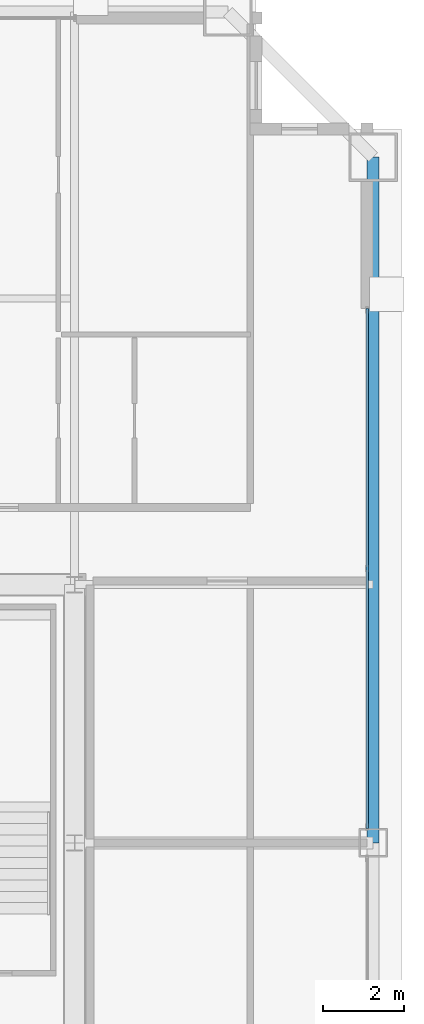
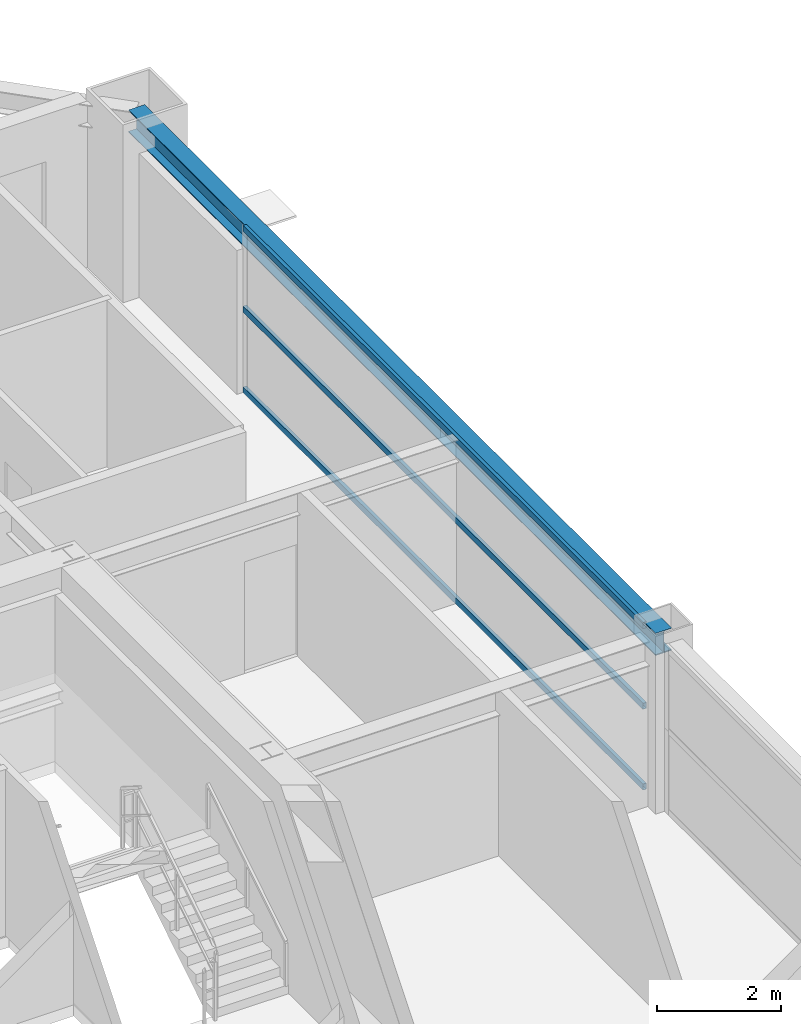
# One storey, part 21 of 37: 3 members, 1 beam, 1 element without a shape of its own.
"""IFC4 building model written with IfcOpenShell, lengths in metres."""

from ifc_helpers import new_model, si_unit, direction, frame, origin, origin_2d, place, context, subcontext, project, spatial, hollow_rectangle, i_section, extrude, source, transform, mapped, material, layer, layer_set, material_profile, profile_set, type_object, element, aggregate, save


model = new_model("IFC4")

# Units and contexts
model_context = context("Model", 3, precision=1e-05, world=origin(), true_north=direction((0.0, 1.0)))
body_context = subcontext(model_context, "Body", "Model", "MODEL_VIEW")
ifc_project = project(units=[si_unit("LENGTHUNIT", "METRE"), si_unit("AREAUNIT", "SQUARE_METRE"), si_unit("VOLUMEUNIT", "CUBIC_METRE"), si_unit("PLANEANGLEUNIT", "RADIAN"), si_unit("MASSUNIT", "GRAM", prefix="KILO"), si_unit("THERMODYNAMICTEMPERATUREUNIT", "KELVIN"), si_unit("POWERUNIT", "WATT")], contexts=[model_context])

# Site, building, storey
site_placement = place(None, origin())
site = spatial("IfcSite", under=ifc_project, at=site_placement, CompositionType="ELEMENT")
building_placement = place(site_placement, origin())
building = spatial("IfcBuilding", under=site, at=building_placement, Name="Yuzanri Waterfront Tower", CompositionType="ELEMENT")
storey_placement = place(building_placement, frame((0.0, 0.0, 245.10009765625)))
storey = spatial("IfcBuildingStorey", under=building, at=storey_placement, Name="L65", CompositionType="ELEMENT", Elevation=245.10009765625)

# Beam
ifc_material_1 = material(Name="Steel Q355B", Category="steel")
ifc_material_profile_1 = material_profile(ifc_material_1, i_section(OverallWidth=0.300048828125, OverallDepth=0.43994140625, WebThickness=0.010986328125, FlangeThickness=0.01806640625, at=origin_2d()), Name="HM 440x300x11x18")
ifc_profile_set_1 = profile_set([ifc_material_profile_1], Name="Steel Q355B")
beam_type = type_object("IfcBeamType", Name="Perimeter Spandrel Q355B HM 440x300", PredefinedType="SPANDREL", material=ifc_profile_set_1)
shared_shape_1 = source(origin(), body_context, "Body", "SweptSolid", [
    extrude(i_section(OverallWidth=0.300048828125, OverallDepth=0.43994140625, WebThickness=0.010986328125, FlangeThickness=0.01806640625, at=origin_2d()), origin(), (0.0, 0.0, 1.0), 17.0),
])
beam_placement = place(storey_placement, frame((57.60009765625, 25.800048828125, 3.059814453125), z_axis=(0.0, 1.0, 0.0), x_axis=(-1.0, 0.0, 0.0)))
element("IfcBeam", 1, at=beam_placement, inside=storey, type_object=beam_type, Name="L65 Perimeter Spandrel E2-E3", PredefinedType="SPANDREL", context=body_context, shape_type="MappedRepresentation", body=[
    mapped(shared_shape_1, transform((0.0, 0.0, 0.0), scale=1.0)),
])

# Curtain wall, members
ifc_material_2 = material(Name="Anodized Architectural Bronze", Category="metal")
ifc_layer = layer(ifc_material_2, 0.159912109375)
ifc_layer_set = layer_set([ifc_layer], Name="Anodized Architectural Bronze")
curtain_wall_type = type_object("IfcCurtainWallType", Name="Anodized Bronze Mid-Rise Residential Acoustic Unitized Curtain Wall 7200", PredefinedType="NOTDEFINED", material=ifc_layer_set)
curtain_wall_placement = place(storey_placement, origin())
curtain_wall = element("IfcCurtainWall", 2, at=curtain_wall_placement, inside=storey, type_object=curtain_wall_type, Name="L65 Curtain Wall CW-L65-ER", PredefinedType="NOTDEFINED")
ifc_material_3 = material(Name="Anodized Architectural Bronze", Category="metal")
ifc_material_profile_2 = material_profile(ifc_material_3, hollow_rectangle(XDim=0.06494140625, YDim=0.1201171875, WallThickness=0.00341796875, at=origin_2d()), Name="CWT 65x120")
ifc_profile_set_2 = profile_set([ifc_material_profile_2], Name="Anodized Architectural Bronze")
member_type = type_object("IfcMemberType", Name="Anodized Bronze Secondary Curtain-Wall Transom 65x120", PredefinedType="USERDEFINED", material=ifc_profile_set_2)
shared_shape_2 = source(origin(), body_context, "Body", "SweptSolid", [
    extrude(hollow_rectangle(XDim=0.06494140625, YDim=0.1201171875, WallThickness=0.00341796875, at=origin_2d()), origin(), (0.0, 0.0, 1.0), 12.900146484375),
])
member_1_placement = place(storey_placement, frame((57.449951171875, 26.14990234375, 0.0498046875), z_axis=(0.0, 1.0, 0.0), x_axis=(-1.0, 0.0, 0.0)))
member_1 = element("IfcMember", 3, at=member_1_placement, type_object=member_type, Name="CW-L65-ER Transom 1", ObjectType="TRANSOM", PredefinedType="USERDEFINED", context=body_context, shape_type="MappedRepresentation", body=[
    mapped(shared_shape_2, transform((0.0, 0.0, 0.0), scale=1.0)),
])
member_2_placement = place(storey_placement, frame((57.449951171875, 26.14990234375, 1.639892578125), z_axis=(0.0, 1.0, 0.0), x_axis=(-1.0, 0.0, 0.0)))
member_2 = element("IfcMember", 4, at=member_2_placement, type_object=member_type, Name="CW-L65-ER Transom 2", ObjectType="TRANSOM", PredefinedType="USERDEFINED", context=body_context, shape_type="MappedRepresentation", body=[
    mapped(shared_shape_2, transform((0.0, 0.0, 0.0), scale=1.0)),
])
member_3_placement = place(storey_placement, frame((57.449951171875, 26.14990234375, 3.22998046875), z_axis=(0.0, 1.0, 0.0), x_axis=(-1.0, 0.0, 0.0)))
member_3 = element("IfcMember", 5, at=member_3_placement, type_object=member_type, Name="CW-L65-ER Transom 3", ObjectType="TRANSOM", PredefinedType="USERDEFINED", context=body_context, shape_type="MappedRepresentation", body=[
    mapped(shared_shape_2, transform((0.0, 0.0, 0.0), scale=1.0)),
])
aggregate(curtain_wall, [member_1, member_2, member_3])

save(model, "model.ifc")
